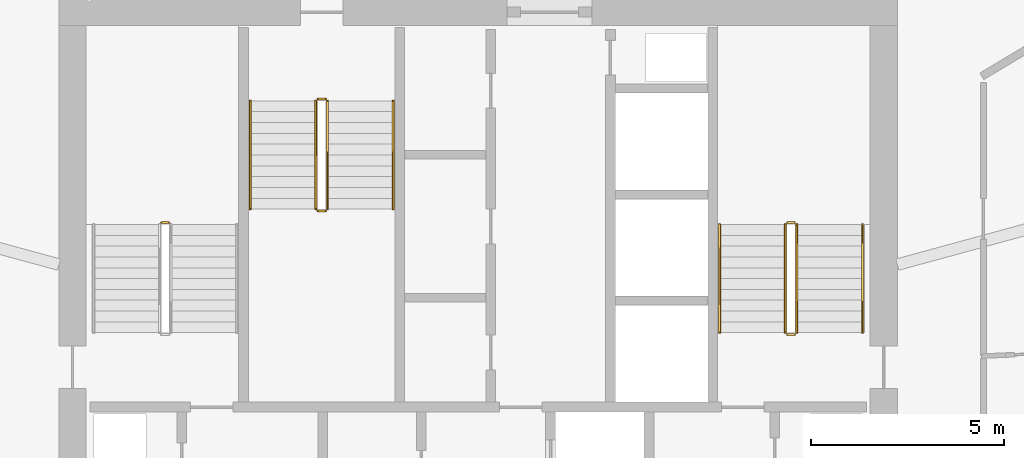
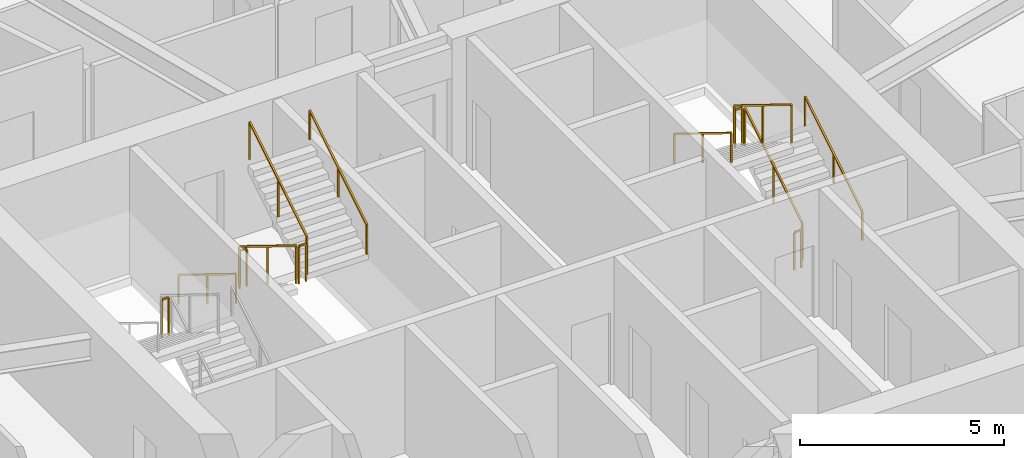
# One storey, part 25 of 26: 13 railings.
"""IFC4 building model written with IfcOpenShell, lengths in metres."""

import ifcopenshell
import ifcopenshell.guid

model = None  # the IFC model being written
_history = None  # IfcOwnerHistory: only IFC2X3 demands one
_inside = {}  # id of a spatial element -> (the spatial element, [elements in it])
_under = {}  # id of a project, library or spatial element -> (it, [spatial elements below it])
_declared = {}  # id of a project -> (the project, [libraries it declares])
_typed = {}  # id of a type object -> (the type object, [elements of that type])
_made_of = {}  # id of a material, layer set ... -> (it, [elements and type objects made of it])


def new_model(schema):
    """Start an empty IFC model of exactly this schema.

    Asked for "IFC4X3", IfcOpenShell would pick the latest addendum, in which some entities
    have other attributes; the version numbers below select the first issue.
    IFC2X3 requires an IfcOwnerHistory on every rooted entity: one is made here for all.
    """
    global model, _history
    if schema == "IFC4X3":
        model = ifcopenshell.file(schema_version=(4, 3, 0, 0))
    else:
        model = ifcopenshell.file(schema=schema)
    _inside.clear()
    _under.clear()
    _declared.clear()
    _typed.clear()
    _made_of.clear()
    _history = None
    if model.schema == "IFC2X3":
        org = make("IfcOrganization", Name="unknown")
        user = make(
            "IfcPersonAndOrganization",
            ThePerson=make("IfcPerson", FamilyName="unknown"),
            TheOrganization=org,
        )
        app = make(
            "IfcApplication",
            ApplicationDeveloper=org,
            Version="unknown",
            ApplicationFullName="unknown",
            ApplicationIdentifier="unknown",
        )
        _history = make(
            "IfcOwnerHistory",
            OwningUser=user,
            OwningApplication=app,
            ChangeAction="ADDED",
            CreationDate=0,
        )
    return model


def make(cls, **values):
    """One entity of the class cls with the attributes given. An attribute that is None is left unset."""
    return model.create_entity(
        cls, **{name: value for name, value in values.items() if value is not None}
    )


def rooted(cls, **values):
    """An entity with a GlobalId (a new one), such as an element, a storey or a relation."""
    return make(cls, GlobalId=ifcopenshell.guid.new(), OwnerHistory=_history, **values)


def si_unit(unit_type, name, prefix=None):
    """IfcSIUnit, for example si_unit("LENGTHUNIT", "METRE", prefix="MILLI")."""
    return make("IfcSIUnit", UnitType=unit_type, Prefix=prefix, Name=name)


def assignment(units):
    """IfcUnitAssignment: the units of a project."""
    return None if units is None else make("IfcUnitAssignment", Units=units)


def point(xyz):
    """IfcCartesianPoint."""
    return None if xyz is None else make("IfcCartesianPoint", Coordinates=xyz)


def direction(xyz):
    """IfcDirection."""
    return None if xyz is None else make("IfcDirection", DirectionRatios=xyz)


def frame(location, z_axis=None, x_axis=None):
    """IfcAxis2Placement3D, a coordinate frame: its origin and axes. An axis left out is left unset."""
    return make(
        "IfcAxis2Placement3D",
        Location=point(location),
        Axis=direction(z_axis),
        RefDirection=direction(x_axis),
    )


def frame_2d(location, x_axis=None):
    """IfcAxis2Placement2D, a coordinate frame in the plane: its origin and x axis."""
    return make(
        "IfcAxis2Placement2D", Location=point(location), RefDirection=direction(x_axis)
    )


def origin():
    """The frame at (0, 0, 0) with its axes left unset."""
    return frame((0.0, 0.0, 0.0))


def origin_2d():
    """The frame at (0, 0) in the plane with its x axis left unset."""
    return frame_2d((0.0, 0.0))


def place(relative_to, where):
    """IfcLocalPlacement: puts the frame where relative to a parent placement (None: the world)."""
    return make(
        "IfcLocalPlacement", PlacementRelTo=relative_to, RelativePlacement=where
    )


def context(
    kind, dimensions, precision=None, world=None, true_north=None, identifier=None
):
    """IfcGeometricRepresentationContext, for example the 3D "Model" context."""
    return make(
        "IfcGeometricRepresentationContext",
        ContextIdentifier=identifier,
        ContextType=kind,
        CoordinateSpaceDimension=dimensions,
        Precision=precision,
        WorldCoordinateSystem=world,
        TrueNorth=true_north,
    )


def subcontext(parent, identifier, kind, view, scale=None):
    """IfcGeometricRepresentationSubContext, for example "Body" below "Model"."""
    return make(
        "IfcGeometricRepresentationSubContext",
        ContextIdentifier=identifier,
        ContextType=kind,
        ParentContext=parent,
        TargetScale=scale,
        TargetView=view,
    )


def project(units=None, contexts=None):
    """IfcProject with its units and contexts."""
    return rooted(
        "IfcProject",
        Name="project",
        RepresentationContexts=contexts,
        UnitsInContext=assignment(units),
    )


def spatial(cls, under=None, at=None, **own):
    """A site, building, storey or space (cls), placed at a placement, below another one or the project."""
    s = rooted(cls, ObjectPlacement=at, **own)
    if under is not None:
        _under.setdefault(under.id(), (under, []))[1].append(s)
    return s


def profile(cls, at=None, kind="AREA", **sizes):
    """A parametric profile (cls). Its sizes go by their IFC names, for example OverallWidth=200.0."""
    return make(cls, ProfileType=kind, Position=at, **sizes)


def rectangle(**sizes):
    """IfcRectangleProfileDef."""
    return profile("IfcRectangleProfileDef", **sizes)


def extrude(swept, where, along, depth):
    """IfcExtrudedAreaSolid: the profile swept, set in the frame where, extruded along a direction by depth."""
    return make(
        "IfcExtrudedAreaSolid",
        SweptArea=swept,
        Position=where,
        ExtrudedDirection=direction(along),
        Depth=depth,
    )


def shape(context_of_items, identifier, shape_type, items):
    """IfcShapeRepresentation: the items that make up one representation, for example the "Body"."""
    return make(
        "IfcShapeRepresentation",
        ContextOfItems=context_of_items,
        RepresentationIdentifier=identifier,
        RepresentationType=shape_type,
        Items=items,
    )


def material(Name=None, Category=None):
    """IfcMaterial."""
    return make("IfcMaterial", Name=Name, Category=Category)


def made_of(thing, what):
    """Note that an element or type object is made of a material, layer set ...; save() writes the relation."""
    if what is not None:
        _made_of.setdefault(what.id(), (what, []))[1].append(thing)
    return thing


def type_object(cls, material=None, **own):
    """A type object (cls), such as IfcWallType, which elements share."""
    return made_of(rooted(cls, **own), material)


def element(
    cls,
    number,
    at=None,
    inside=None,
    cuts=None,
    type_object=None,
    material=None,
    context=None,
    identifier="Body",
    shape_type=None,
    held_by="IfcProductDefinitionShape",
    body=None,
    shapes=None,
    **own,
):
    """One element of the class cls, such as IfcWall. Its Tag is "e" and its number.

    at: its placement. inside: the storey or other place that contains it. cuts: it is an
    opening in that element (IfcRelVoidsElement). A single representation is given by context,
    identifier, shape_type and body (its items); several are given by shapes. held_by: the class
    of the entity that holds the representations. save() writes the other relations.
    """
    e = rooted(cls, Tag="e%d" % number, ObjectPlacement=at, **own)
    if body is not None:
        shapes = [shape(context, identifier, shape_type, body)]
    if shapes is not None:
        e.Representation = make(held_by, Representations=shapes)
    if inside is not None:
        _inside.setdefault(inside.id(), (inside, []))[1].append(e)
    if cuts is not None:
        rooted(
            "IfcRelVoidsElement", RelatingBuildingElement=cuts, RelatedOpeningElement=e
        )
    if type_object is not None:
        _typed.setdefault(type_object.id(), (type_object, []))[1].append(e)
    return made_of(e, material)


def aggregate(whole, parts):
    """IfcRelAggregates: a whole, such as a stair, and the parts it consists of."""
    return rooted("IfcRelAggregates", RelatingObject=whole, RelatedObjects=parts)


def save(model, path):
    """Write the relations noted so far, then the file.

    IfcRelAggregates (storeys below a building ...), IfcRelContainedInSpatialStructure (elements
    in a storey), IfcRelDefinesByType, IfcRelAssociatesMaterial and IfcRelDeclares: one each for
    every whole, place, type object, material and project.
    """
    for whole, parts in _under.values():
        aggregate(whole, parts)
    for where, things in _inside.values():
        rooted(
            "IfcRelContainedInSpatialStructure",
            RelatedElements=things,
            RelatingStructure=where,
        )
    for kind, things in _typed.values():
        rooted("IfcRelDefinesByType", RelatedObjects=things, RelatingType=kind)
    for what, things in _made_of.values():
        rooted("IfcRelAssociatesMaterial", RelatedObjects=things, RelatingMaterial=what)
    for by, libraries in _declared.values():
        rooted("IfcRelDeclares", RelatingContext=by, RelatedDefinitions=libraries)
    model.write(path)


model = new_model("IFC4")

# Units and contexts
model_context = context("Model", 3, precision=1e-05, world=origin(), true_north=direction((0.0, 1.0)))
body_context = subcontext(model_context, "Body", "Model", "MODEL_VIEW")
ifc_project = project(units=[si_unit("LENGTHUNIT", "METRE"), si_unit("AREAUNIT", "SQUARE_METRE"), si_unit("VOLUMEUNIT", "CUBIC_METRE"), si_unit("PLANEANGLEUNIT", "RADIAN"), si_unit("MASSUNIT", "GRAM", prefix="KILO")], contexts=[model_context])

# Site, building, storey
site_placement = place(None, origin())
site = spatial("IfcSite", under=ifc_project, at=site_placement, CompositionType="ELEMENT")
building_placement = place(site_placement, origin())
building = spatial("IfcBuilding", under=site, at=building_placement, Name="Zuhravey Tower", CompositionType="ELEMENT")
storey_placement = place(building_placement, frame((0.0, 0.0, 203.60009765625)))
storey = spatial("IfcBuildingStorey", under=building, at=storey_placement, Name="L51", CompositionType="ELEMENT", Elevation=203.60009765625)

# Railings
ifc_material_1 = material(Name="Brushed stainless steel", Category="steel")
railing_type_1 = type_object("IfcRailingType", Name="Stair Wall Handrail 900", PredefinedType="HANDRAIL", material=ifc_material_1)
railing_1_placement = place(storey_placement, frame((45.949951171875, 33.199951171875, 0.172607421875)))
element("IfcRailing", 1, at=railing_1_placement, inside=storey, type_object=railing_type_1, Name="L51 ST2 stair handrail 1", PredefinedType="HANDRAIL", context=body_context, shape_type="SweptSolid", body=[
    extrude(rectangle(XDim=0.048095703125, YDim=0.048095703125, at=origin_2d()), frame((0.0, 0.001708984375, 0.876953125), z_axis=(0.0, 0.851089632645, 0.525020415988), x_axis=(-1.0, 0.0, 0.0)), (0.0, 0.0, 1.0), 3.285888671875),
    extrude(rectangle(XDim=0.0419921875, YDim=0.0419921875, at=origin_2d()), origin(), (0.0, 0.0, 1.0), 0.849853515625),
    extrude(rectangle(XDim=0.0419921875, YDim=0.0419921875, at=origin_2d()), frame((0.0, 1.39990234375, 0.86376953125)), (0.0, 0.0, 1.0), 0.849853515625),
    extrude(rectangle(XDim=0.0419921875, YDim=0.0419921875, at=origin_2d()), frame((0.0, 2.800048828125, 1.727294921875)), (0.0, 0.0, 1.0), 0.849853515625),
])
for number, where, name in (
    (2, (42.25, 36.0, 2.072509765625), "L51 ST2 stair handrail 2"),
    (3, (30.10009765625, 39.199951171875, 0.172607421875), "L51 ST3 stair handrail 1"),
):
    element("IfcRailing", number, at=place(storey_placement, frame(where)), inside=storey, type_object=railing_type_1, Name=name, PredefinedType="HANDRAIL", context=body_context, shape_type="SweptSolid", body=[
        extrude(rectangle(XDim=0.048095703125, YDim=0.048095703125, at=origin_2d()), frame((0.0, -0.001708984375, 0.876953125), z_axis=(0.0, -0.851089632645, 0.525020415988), x_axis=(1.0, 0.0, 0.0)), (0.0, 0.0, 1.0), 3.285888671875),
        extrude(rectangle(XDim=0.0419921875, YDim=0.0419921875, at=origin_2d()), origin(), (0.0, 0.0, 1.0), 0.849853515625),
        extrude(rectangle(XDim=0.0419921875, YDim=0.0419921875, at=origin_2d()), frame((0.0, -1.39990234375, 0.86376953125)), (0.0, 0.0, 1.0), 0.849853515625),
        extrude(rectangle(XDim=0.0419921875, YDim=0.0419921875, at=origin_2d()), frame((0.0, -2.800048828125, 1.727294921875)), (0.0, 0.0, 1.0), 0.849853515625),
    ])
railing_2_placement = place(storey_placement, frame((33.800048828125, 36.39990234375, 2.072509765625)))
element("IfcRailing", 4, at=railing_2_placement, inside=storey, type_object=railing_type_1, Name="L51 ST3 stair handrail 2", PredefinedType="HANDRAIL", context=body_context, shape_type="SweptSolid", body=[
    extrude(rectangle(XDim=0.048095703125, YDim=0.048095703125, at=origin_2d()), frame((0.0, 0.001708984375, 0.876953125), z_axis=(0.0, 0.851089632645, 0.525020415988), x_axis=(-1.0, 0.0, 0.0)), (0.0, 0.0, 1.0), 3.285888671875),
    extrude(rectangle(XDim=0.0419921875, YDim=0.0419921875, at=origin_2d()), origin(), (0.0, 0.0, 1.0), 0.849853515625),
    extrude(rectangle(XDim=0.0419921875, YDim=0.0419921875, at=origin_2d()), frame((0.0, 1.39990234375, 0.86376953125)), (0.0, 0.0, 1.0), 0.849853515625),
    extrude(rectangle(XDim=0.0419921875, YDim=0.0419921875, at=origin_2d()), frame((0.0, 2.800048828125, 1.727294921875)), (0.0, 0.0, 1.0), 0.849853515625),
])
ifc_material_2 = material(Name="Painted tubular steel", Category="steel")
railing_type_2 = type_object("IfcRailingType", Name="Stair Well Guardrail 1150", PredefinedType="GUARDRAIL", material=ifc_material_2)
railing_3_placement = place(storey_placement, frame((28.0, 36.050048828125, 1.89990234375)))
element("IfcRailing", 5, at=railing_3_placement, inside=storey, type_object=railing_type_2, Name="L51 ST1 stair guard 2", PredefinedType="GUARDRAIL", context=body_context, shape_type="SweptSolid", body=[
    extrude(rectangle(XDim=0.048095703125, YDim=0.048095703125, at=origin_2d()), frame((-0.001953125, 0.0, 1.1259765625), z_axis=(-1.0, 0.0, 0.0), x_axis=(0.0, -1.0, 0.0)), (0.0, 0.0, 1.0), 0.196044921875),
    extrude(rectangle(XDim=0.0419921875, YDim=0.0419921875, at=origin_2d()), origin(), (0.0, 0.0, 1.0), 1.099853515625),
    extrude(rectangle(XDim=0.0419921875, YDim=0.0419921875, at=origin_2d()), frame((-0.199951171875, 0.0, 0.0)), (0.0, 0.0, 1.0), 1.099853515625),
])
railing_4_placement = place(storey_placement, frame((44.25, 33.199951171875, 0.172607421875)))
element("IfcRailing", 6, at=railing_4_placement, inside=storey, type_object=railing_type_2, Name="L51 ST2 stair guard 1", PredefinedType="GUARDRAIL", context=body_context, shape_type="SweptSolid", body=[
    extrude(rectangle(XDim=0.048095703125, YDim=0.048095703125, at=origin_2d()), frame((0.0, 0.001708984375, 1.126953125), z_axis=(0.0, 0.851089632645, 0.525020415988), x_axis=(-1.0, 0.0, 0.0)), (0.0, 0.0, 1.0), 3.285888671875),
    extrude(rectangle(XDim=0.0419921875, YDim=0.0419921875, at=origin_2d()), origin(), (0.0, 0.0, 1.0), 1.099853515625),
    extrude(rectangle(XDim=0.0419921875, YDim=0.0419921875, at=origin_2d()), frame((0.0, 1.39990234375, 0.86376953125)), (0.0, 0.0, 1.0), 1.099853515625),
    extrude(rectangle(XDim=0.0419921875, YDim=0.0419921875, at=origin_2d()), frame((0.0, 2.800048828125, 1.727294921875)), (0.0, 0.0, 1.0), 1.099853515625),
])
railing_5_placement = place(storey_placement, frame((44.199951171875, 36.050048828125, 1.89990234375)))
element("IfcRailing", 7, at=railing_5_placement, inside=storey, type_object=railing_type_2, Name="L51 ST2 stair guard 2", PredefinedType="GUARDRAIL", context=body_context, shape_type="SweptSolid", body=[
    extrude(rectangle(XDim=0.048095703125, YDim=0.048095703125, at=origin_2d()), frame((-0.001953125, 0.0, 1.1259765625), z_axis=(-1.0, 0.0, 0.0), x_axis=(0.0, -1.0, 0.0)), (0.0, 0.0, 1.0), 0.196044921875),
    extrude(rectangle(XDim=0.0419921875, YDim=0.0419921875, at=origin_2d()), origin(), (0.0, 0.0, 1.0), 1.099853515625),
    extrude(rectangle(XDim=0.0419921875, YDim=0.0419921875, at=origin_2d()), frame((-0.199951171875, 0.0, 0.0)), (0.0, 0.0, 1.0), 1.099853515625),
])
railing_6_placement = place(storey_placement, frame((43.949951171875, 36.0, 2.072509765625)))
element("IfcRailing", 8, at=railing_6_placement, inside=storey, type_object=railing_type_2, Name="L51 ST2 stair guard 3", PredefinedType="GUARDRAIL", context=body_context, shape_type="SweptSolid", body=[
    extrude(rectangle(XDim=0.048095703125, YDim=0.048095703125, at=origin_2d()), frame((0.0, -0.001708984375, 1.126953125), z_axis=(0.0, -0.851089632645, 0.525020415988), x_axis=(1.0, 0.0, 0.0)), (0.0, 0.0, 1.0), 3.285888671875),
    extrude(rectangle(XDim=0.0419921875, YDim=0.0419921875, at=origin_2d()), origin(), (0.0, 0.0, 1.0), 1.099853515625),
    extrude(rectangle(XDim=0.0419921875, YDim=0.0419921875, at=origin_2d()), frame((0.0, -1.39990234375, 0.86376953125)), (0.0, 0.0, 1.0), 1.099853515625),
    extrude(rectangle(XDim=0.0419921875, YDim=0.0419921875, at=origin_2d()), frame((0.0, -2.800048828125, 1.727294921875)), (0.0, 0.0, 1.0), 1.099853515625),
])
railing_7_placement = place(storey_placement, frame((44.199951171875, 33.14990234375, 0.0)))
element("IfcRailing", 9, at=railing_7_placement, inside=storey, type_object=railing_type_2, Name="L51 ST2 stair guard 4", PredefinedType="GUARDRAIL", context=body_context, shape_type="SweptSolid", body=[
    extrude(rectangle(XDim=0.048095703125, YDim=0.048095703125, at=origin_2d()), frame((-0.001953125, 0.0, 1.1259765625), z_axis=(-1.0, 0.0, 0.0), x_axis=(0.0, -1.0, 0.0)), (0.0, 0.0, 1.0), 0.196044921875),
    extrude(rectangle(XDim=0.0419921875, YDim=0.0419921875, at=origin_2d()), origin(), (0.0, 0.0, 1.0), 1.099853515625),
    extrude(rectangle(XDim=0.0419921875, YDim=0.0419921875, at=origin_2d()), frame((-0.199951171875, 0.0, 0.0)), (0.0, 0.0, 1.0), 1.099853515625),
])
railing_8_placement = place(storey_placement, frame((31.800048828125, 39.199951171875, 0.172607421875)))
element("IfcRailing", 10, at=railing_8_placement, inside=storey, type_object=railing_type_2, Name="L51 ST3 stair guard 1", PredefinedType="GUARDRAIL", context=body_context, shape_type="SweptSolid", body=[
    extrude(rectangle(XDim=0.048095703125, YDim=0.048095703125, at=origin_2d()), frame((0.0, -0.001708984375, 1.126953125), z_axis=(0.0, -0.851089632645, 0.525020415988), x_axis=(1.0, 0.0, 0.0)), (0.0, 0.0, 1.0), 3.285888671875),
    extrude(rectangle(XDim=0.0419921875, YDim=0.0419921875, at=origin_2d()), origin(), (0.0, 0.0, 1.0), 1.099853515625),
    extrude(rectangle(XDim=0.0419921875, YDim=0.0419921875, at=origin_2d()), frame((0.0, -1.39990234375, 0.86376953125)), (0.0, 0.0, 1.0), 1.099853515625),
    extrude(rectangle(XDim=0.0419921875, YDim=0.0419921875, at=origin_2d()), frame((0.0, -2.800048828125, 1.727294921875)), (0.0, 0.0, 1.0), 1.099853515625),
])
railing_9_placement = place(storey_placement, frame((31.85009765625, 36.35009765625, 1.89990234375)))
element("IfcRailing", 11, at=railing_9_placement, inside=storey, type_object=railing_type_2, Name="L51 ST3 stair guard 2", PredefinedType="GUARDRAIL", context=body_context, shape_type="SweptSolid", body=[
    extrude(rectangle(XDim=0.048095703125, YDim=0.048095703125, at=origin_2d()), frame((0.001953125, 0.0, 1.1259765625), z_axis=(1.0, 0.0, 0.0), x_axis=(0.0, 1.0, 0.0)), (0.0, 0.0, 1.0), 0.196044921875),
    extrude(rectangle(XDim=0.0419921875, YDim=0.0419921875, at=origin_2d()), origin(), (0.0, 0.0, 1.0), 1.099853515625),
    extrude(rectangle(XDim=0.0419921875, YDim=0.0419921875, at=origin_2d()), frame((0.199951171875, 0.0, 0.0)), (0.0, 0.0, 1.0), 1.099853515625),
])
railing_10_placement = place(storey_placement, frame((32.10009765625, 36.39990234375, 2.072509765625)))
element("IfcRailing", 12, at=railing_10_placement, inside=storey, type_object=railing_type_2, Name="L51 ST3 stair guard 3", PredefinedType="GUARDRAIL", context=body_context, shape_type="SweptSolid", body=[
    extrude(rectangle(XDim=0.048095703125, YDim=0.048095703125, at=origin_2d()), frame((0.0, 0.001708984375, 1.126953125), z_axis=(0.0, 0.851089632645, 0.525020415988), x_axis=(-1.0, 0.0, 0.0)), (0.0, 0.0, 1.0), 3.285888671875),
    extrude(rectangle(XDim=0.0419921875, YDim=0.0419921875, at=origin_2d()), origin(), (0.0, 0.0, 1.0), 1.099853515625),
    extrude(rectangle(XDim=0.0419921875, YDim=0.0419921875, at=origin_2d()), frame((0.0, 1.39990234375, 0.86376953125)), (0.0, 0.0, 1.0), 1.099853515625),
    extrude(rectangle(XDim=0.0419921875, YDim=0.0419921875, at=origin_2d()), frame((0.0, 2.800048828125, 1.727294921875)), (0.0, 0.0, 1.0), 1.099853515625),
])
railing_11_placement = place(storey_placement, frame((31.85009765625, 39.25, 0.0)))
element("IfcRailing", 13, at=railing_11_placement, inside=storey, type_object=railing_type_2, Name="L51 ST3 stair guard 4", PredefinedType="GUARDRAIL", context=body_context, shape_type="SweptSolid", body=[
    extrude(rectangle(XDim=0.048095703125, YDim=0.048095703125, at=origin_2d()), frame((0.001953125, 0.0, 1.1259765625), z_axis=(1.0, 0.0, 0.0), x_axis=(0.0, 1.0, 0.0)), (0.0, 0.0, 1.0), 0.196044921875),
    extrude(rectangle(XDim=0.0419921875, YDim=0.0419921875, at=origin_2d()), origin(), (0.0, 0.0, 1.0), 1.099853515625),
    extrude(rectangle(XDim=0.0419921875, YDim=0.0419921875, at=origin_2d()), frame((0.199951171875, 0.0, 0.0)), (0.0, 0.0, 1.0), 1.099853515625),
])

save(model, "model.ifc")
